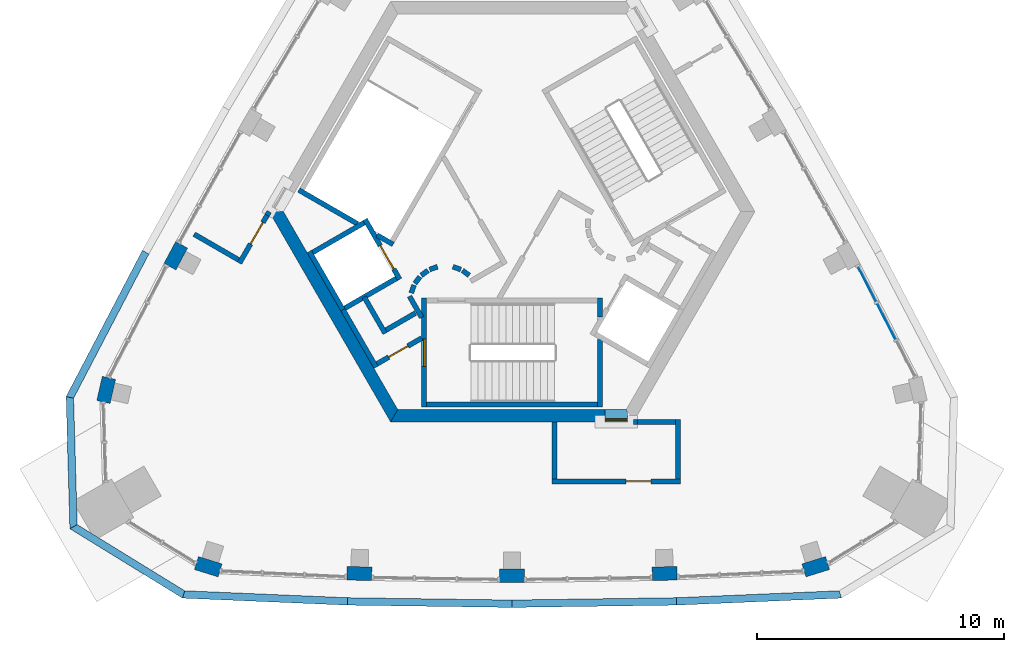
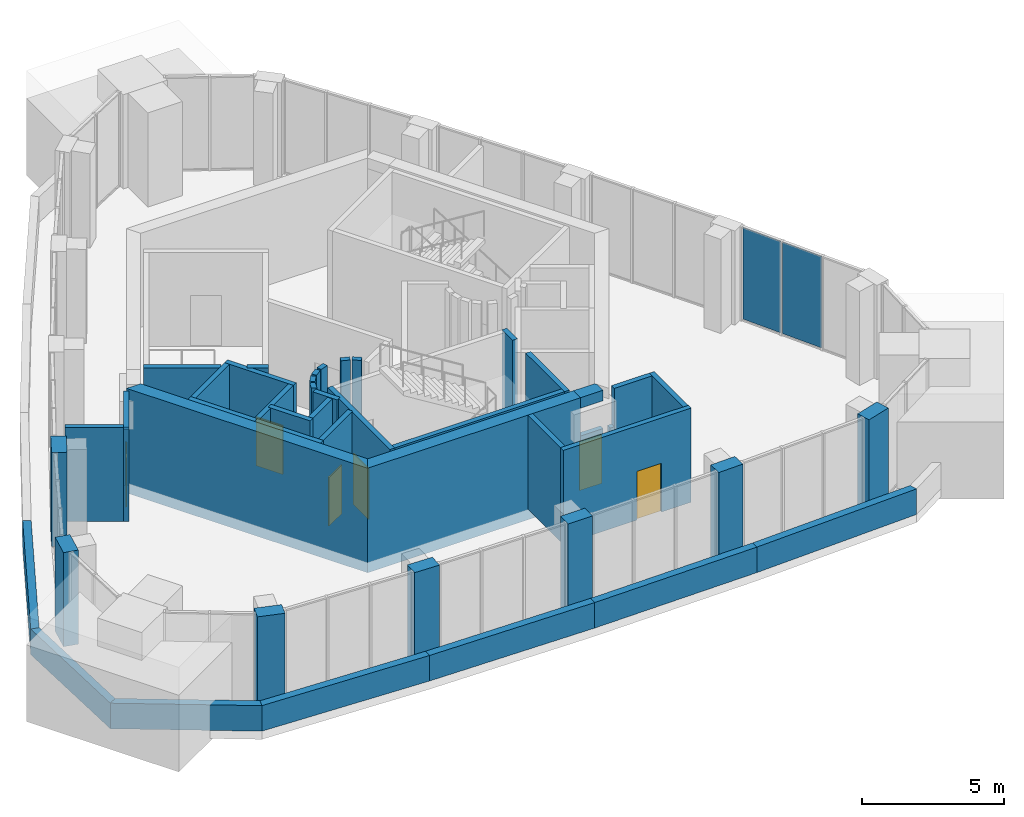
# One storey, part 6 of 9: 47 walls, 6 doors, 2 plates, 6 openings, 1 element without a shape of its own.
"""IFC4 building model written with IfcOpenShell, lengths in metres."""

from ifc_helpers import new_model, si_unit, direction, frame, frame_2d, origin, origin_2d, place, context, subcontext, project, spatial, polyline, rectangle, outline, extrude, material, layer, layer_set, type_object, element, fill, aggregate, save


model = new_model("IFC4")

# Units and contexts
model_context = context("Model", 3, precision=1e-05, world=origin(), true_north=direction((0.0, 1.0)))
body_context = subcontext(model_context, "Body", "Model", "MODEL_VIEW")
ifc_project = project(units=[si_unit("LENGTHUNIT", "METRE"), si_unit("AREAUNIT", "SQUARE_METRE"), si_unit("VOLUMEUNIT", "CUBIC_METRE"), si_unit("PLANEANGLEUNIT", "RADIAN"), si_unit("MASSUNIT", "GRAM", prefix="KILO")], contexts=[model_context])

# Site, building, storey
site_placement = place(None, origin())
site = spatial("IfcSite", under=ifc_project, at=site_placement, CompositionType="ELEMENT")
building_placement = place(site_placement, origin())
building = spatial("IfcBuilding", under=site, at=building_placement, Name="Entoto Arch Interchange Tower", CompositionType="ELEMENT")
storey_placement = place(building_placement, frame((0.0, 0.0, 358.39990234375)))
storey = spatial("IfcBuildingStorey", under=building, at=storey_placement, Name="L84", CompositionType="ELEMENT", Elevation=358.39990234375)

# Curtain wall, plates
ifc_material_1 = material(Name="Aluminium, anodised", Category="aluminium")
curtain_wall_type = type_object("IfcCurtainWallType", Name="CURTAIN WALL CROWN LANTERN", PredefinedType="NOTDEFINED", material=ifc_material_1)
curtain_wall_placement = place(storey_placement, origin())
curtain_wall = element("IfcCurtainWall", 1, at=curtain_wall_placement, inside=storey, type_object=curtain_wall_type, Name="Crown Lantern glazing NE-01 L84", PredefinedType="NOTDEFINED")
ifc_material_2 = material(Name="Clear glass, low-e double glazed", Category="glass")
ifc_layer_1 = layer(ifc_material_2, 0.028076171875)
ifc_layer_set_1 = layer_set([ifc_layer_1], Name="Clear glass, low-e double glazed")
plate_type = type_object("IfcPlateType", Name="GLAZING PANEL CROWN LANTERN 28", PredefinedType="CURTAIN_PANEL", material=ifc_layer_set_1)
plate_1_placement = place(storey_placement, frame((15.131591796875, -1.9365234375, 0.06005859375), z_axis=(0.0, 0.0, 1.0), x_axis=(-0.458935522463, 0.888469575293, 0.0)))
plate_1 = element("IfcPlate", 2, at=plate_1_placement, type_object=plate_type, Name="CWL panel 2.1", PredefinedType="CURTAIN_PANEL", context=body_context, shape_type="SweptSolid", body=[
    extrude(rectangle(XDim=1.6318359375, YDim=0.028076171875, at=origin_2d()), origin(), (0.0, 0.0, 1.0), 3.929931640625),
])
plate_2_placement = place(storey_placement, frame((14.35498046875, -0.433349609375, 0.06005859375), z_axis=(0.0, 0.0, 1.0), x_axis=(-0.458935522463, 0.888469575293, 0.0)))
plate_2 = element("IfcPlate", 3, at=plate_2_placement, type_object=plate_type, Name="CWL panel 3.1", PredefinedType="CURTAIN_PANEL", context=body_context, shape_type="SweptSolid", body=[
    extrude(rectangle(XDim=1.592041015625, YDim=0.028076171875, at=origin_2d()), origin(), (0.0, 0.0, 1.0), 3.929931640625),
])
aggregate(curtain_wall, [plate_1, plate_2])

# Wall, opening, door
ifc_material_3 = material(Name="Reinforced concrete C40/50", Category="concrete")
ifc_layer_2 = layer(ifc_material_3, 0.199951171875)
ifc_layer_set_2 = layer_set([ifc_layer_2], Name="Reinforced concrete C40/50")
wall_type_1 = type_object("IfcWallType", Name="CORE GAP INFILL WALL", PredefinedType="PARTITIONING", material=ifc_layer_set_2)
wall_1_placement = place(storey_placement, frame((3.75, -5.89990234375, 0.0), z_axis=(0.0, 0.0, 1.0), x_axis=(1.0, 0.0, 0.0)))
wall_1 = element("IfcWall", 4, at=wall_1_placement, inside=storey, type_object=wall_type_1, Name="wall:L84:gap1", PredefinedType="PARTITIONING", context=body_context, shape_type="SweptSolid", body=[
    extrude(rectangle(XDim=0.926025390625, YDim=0.199951171875, at=frame_2d((0.462890625, 0.0))), origin(), (0.0, 0.0, 1.0), 2.400146484375),
])
opening_1_placement = place(wall_1_placement, frame((0.01708984375, 0.0, 0.0)))
opening_1 = element("IfcOpeningElement", 5, at=opening_1_placement, cuts=wall_1, Name="Opening L84-D91", PredefinedType="OPENING", context=body_context, shape_type="SweptSolid", body=[
    extrude(rectangle(XDim=0.89990234375, YDim=2.10009765625, at=frame_2d((0.449951171875, 1.050048828125))), frame((0.0, 0.10986328125, 0.0), z_axis=(0.0, -1.0, 0.0), x_axis=(1.0, 0.0, 0.0)), (0.0, 0.0, 1.0), 0.219970703125),
])
ifc_material_4 = material(Name="Fire-rated Steel S235 door and frame", Category="steel")
door_type_1 = type_object("IfcDoorType", Name="DOOR FD-09 900x2100", OperationType="SINGLE_SWING_LEFT", PredefinedType="DOOR", material=ifc_material_4)
door_1_placement = place(opening_1_placement, origin())
door_1 = element("IfcDoor", 6, at=door_1_placement, inside=storey, type_object=door_type_1, Name="door:L84:gap1", OperationType="SINGLE_SWING_LEFT", OverallHeight=2.10009765625, OverallWidth=0.89990234375, PredefinedType="DOOR", context=body_context, shape_type="SweptSolid", body=[
    extrude(rectangle(XDim=0.89990234375, YDim=2.10009765625, at=frame_2d((0.449951171875, 1.050048828125))), frame((0.0, 0.02490234375, 0.0), z_axis=(0.0, -1.0, 0.0), x_axis=(1.0, 0.0, 0.0)), (0.0, 0.0, 1.0), 0.050048828125),
])
fill(opening_1, door_1)

# Walls
ifc_material_5 = material(Name="Concrete C40/50", Category="concrete")
ifc_layer_3 = layer(ifc_material_5, 0.5)
ifc_layer_set_3 = layer_set([ifc_layer_3], Name="Concrete C40/50")
wall_type_2 = type_object("IfcWallType", Name="Core wall 500 C40/50", PredefinedType="SHEAR", material=ifc_layer_set_3)
wall_2_placement = place(storey_placement, frame((0.0, 0.0, -0.449951171875)))
element("IfcWall", 7, at=wall_2_placement, inside=storey, type_object=wall_type_2, Name="Core wall SW L84", PredefinedType="SHEAR", context=body_context, shape_type="SweptSolid", body=[
    extrude(outline(polyline([(-9.81494140625, 2.5), (-4.906982421875, -6.0), (-4.618896484375, -5.5), (-9.238037109375, 2.5), (-9.81494140625, 2.5)])), origin(), (0.0, 0.0, 1.0), 4.5),
])
wall_3_placement = place(storey_placement, frame((0.0, 0.0, -0.449951171875)))
element("IfcWall", 8, at=wall_3_placement, inside=storey, type_object=wall_type_2, Name="Core wall S L84", PredefinedType="SHEAR", context=body_context, shape_type="SweptSolid", body=[
    extrude(outline(polyline([(3.75, -6.0), (3.75, -5.5), (-4.618896484375, -5.5), (-4.906982421875, -6.0), (3.75, -6.0)])), origin(), (0.0, 0.0, 1.0), 4.5),
])
wall_4_placement = place(storey_placement, frame((0.0, 0.0, 3.60009765625)))
element("IfcWall", 9, at=wall_4_placement, inside=storey, type_object=wall_type_2, Name="Core wall lintel S L84", PredefinedType="SHEAR", context=body_context, shape_type="SweptSolid", body=[
    extrude(outline(polyline([(4.676025390625, -6.0), (4.676025390625, -5.60009765625), (4.618896484375, -5.5), (3.75, -5.5), (3.75, -6.0), (4.676025390625, -6.0)])), origin(), (0.0, 0.0, 1.0), 0.449951171875),
])

# Wall, opening, door
ifc_layer_4 = layer(ifc_material_5, 0.199951171875)
ifc_layer_set_4 = layer_set([ifc_layer_4], Name="Concrete C40/50")
wall_type_3 = type_object("IfcWallType", Name="LIFT SHAFT WALL 200", PredefinedType="STANDARD", material=ifc_layer_set_4)
wall_5_placement = place(storey_placement, frame((-5.93994140625, 2.18798828125, 0.0), z_axis=(0.0, 0.0, 1.0), x_axis=(0.49994636267, -0.866056369097, 0.0)))
wall_5 = element("IfcWall", 10, at=wall_5_placement, inside=storey, type_object=wall_type_3, Name="Shaft wall SW1 front", PredefinedType="STANDARD", context=body_context, shape_type="SweptSolid", body=[
    extrude(rectangle(XDim=2.800048828125, YDim=0.199951171875, at=frame_2d((1.39990234375, 0.0))), origin(), (0.0, 0.0, 1.0), 4.050048828125),
])
opening_2_placement = place(wall_5_placement, frame((1.22509765625, 0.0, 0.0)))
opening_2 = element("IfcOpeningElement", 11, at=opening_2_placement, cuts=wall_5, Name="Opening LD-FF2-L84", PredefinedType="OPENING", context=body_context, shape_type="SweptSolid", body=[
    extrude(rectangle(XDim=1.10009765625, YDim=2.10009765625, at=frame_2d((0.550048828125, 1.050048828125))), frame((0.0, 0.10986328125, 0.0), z_axis=(0.0, -1.0, 0.0), x_axis=(1.0, 0.0, 0.0)), (0.0, 0.0, 1.0), 0.219970703125),
])
ifc_material_6 = material(Name="Stainless steel 1.4301 panels", Category="steel")
door_type_2 = type_object("IfcDoorType", Name="LIFT LANDING DOOR LD1 1100x2100", OperationType="SLIDING_TO_LEFT", PredefinedType="DOOR", material=ifc_material_6)
door_2_placement = place(opening_2_placement, origin())
door_2 = element("IfcDoor", 12, at=door_2_placement, inside=storey, type_object=door_type_2, Name="Lift landing door FF2 L84", OperationType="SLIDING_TO_LEFT", OverallHeight=2.10009765625, OverallWidth=1.10009765625, PredefinedType="DOOR", context=body_context, shape_type="SweptSolid", body=[
    extrude(rectangle(XDim=1.10009765625, YDim=2.10009765625, at=frame_2d((0.550048828125, 1.050048828125))), frame((0.0, 0.02490234375, 0.0), z_axis=(0.0, -1.0, 0.0), x_axis=(1.0, 0.0, 0.0)), (0.0, 0.0, 1.0), 0.050048828125),
])
fill(opening_2, door_2)

# Walls
wall_6_placement = place(storey_placement, frame((-8.19189453125, 0.887939453125, 0.0), z_axis=(0.0, 0.0, 1.0), x_axis=(0.49994636267, -0.866056369097, 0.0)))
element("IfcWall", 13, at=wall_6_placement, inside=storey, type_object=wall_type_3, Name="Shaft wall SW1 back", PredefinedType="STANDARD", context=body_context, shape_type="SweptSolid", body=[
    extrude(rectangle(XDim=2.800048828125, YDim=0.199951171875, at=frame_2d((1.39990234375, 0.0))), origin(), (0.0, 0.0, 1.0), 4.050048828125),
])
for number, where, z_axis, x_axis, name in (
    (14, (-5.97705078125, 2.052001953125, 0.0), (0.0, 0.0, 1.0), (-0.865973769406, -0.500089422704, 0.0), "Shaft wall SW1 cross 1"),
    (15, (-4.677001953125, -0.199951171875, 0.0), (0.0, 0.0, 1.0), (-0.865973769406, -0.500089422704, 0.0), "Shaft wall SW1 cross 2"),
):
    element("IfcWall", number, at=place(storey_placement, frame(where, z_axis=z_axis, x_axis=x_axis)), inside=storey, type_object=wall_type_3, Name=name, PredefinedType="STANDARD", context=body_context, shape_type="SweptSolid", body=[
        extrude(rectangle(XDim=2.3994140625, YDim=0.199951171875, at=frame_2d((1.19970703125, 0.0))), origin(), (0.0, 0.0, 1.0), 4.050048828125),
    ])
ifc_material_7 = material(Name="Board-marked precast concrete C50/60", Category="concrete")
ifc_layer_5 = layer(ifc_material_7, 0.300048828125)
ifc_layer_set_5 = layer_set([ifc_layer_5], Name="Board-marked precast concrete C50/60")
wall_type_4 = type_object("IfcWallType", Name="PARAPET PRECAST 300", PredefinedType="PARAPET", material=ifc_layer_set_5)
wall_7_placement = place(storey_placement, origin())
element("IfcWall", 16, at=wall_7_placement, inside=storey, type_object=wall_type_4, Name="Setback roof parapet L84 1", PredefinedType="PARAPET", context=body_context, shape_type="SweptSolid", body=[
    extrude(outline(polyline([(-13.320068359375, -13.1220703125), (-6.659912109375, -13.406005859375), (-6.65087890625, -13.10595703125), (-13.22900390625, -12.825927734375), (-13.320068359375, -13.1220703125)])), origin(), (0.0, 0.0, 1.0), 1.10009765625),
])
wall_8_placement = place(storey_placement, origin())
element("IfcWall", 17, at=wall_8_placement, inside=storey, type_object=wall_type_4, Name="Setback roof parapet L84 2", PredefinedType="PARAPET", context=body_context, shape_type="SweptSolid", body=[
    extrude(outline(polyline([(-6.659912109375, -13.406005859375), (0.0, -13.5), (0.0, -13.199951171875), (-6.65087890625, -13.10595703125), (-6.659912109375, -13.406005859375)])), origin(), (0.0, 0.0, 1.0), 1.10009765625),
])
wall_9_placement = place(storey_placement, origin())
element("IfcWall", 18, at=wall_9_placement, inside=storey, type_object=wall_type_4, Name="Setback roof parapet L84 3", PredefinedType="PARAPET", context=body_context, shape_type="SweptSolid", body=[
    extrude(outline(polyline([(0.0, -13.5), (6.659912109375, -13.406005859375), (6.65087890625, -13.10595703125), (0.0, -13.199951171875), (0.0, -13.5)])), origin(), (0.0, 0.0, 1.0), 1.10009765625),
])
wall_10_placement = place(storey_placement, origin())
element("IfcWall", 19, at=wall_10_placement, inside=storey, type_object=wall_type_4, Name="Setback roof parapet L84 4", PredefinedType="PARAPET", context=body_context, shape_type="SweptSolid", body=[
    extrude(outline(polyline([(6.659912109375, -13.406005859375), (13.320068359375, -13.1220703125), (13.22900390625, -12.825927734375), (6.65087890625, -13.10595703125), (6.659912109375, -13.406005859375)])), origin(), (0.0, 0.0, 1.0), 1.10009765625),
])
wall_11_placement = place(storey_placement, origin())
element("IfcWall", 20, at=wall_11_placement, inside=storey, type_object=wall_type_4, Name="Setback roof parapet L84 16", PredefinedType="PARAPET", context=body_context, shape_type="SweptSolid", body=[
    extrude(outline(polyline([(-14.94091796875, 0.93310546875), (-18.02392578125, -4.97412109375), (-17.721923828125, -5.0439453125), (-14.677001953125, 0.7900390625), (-14.94091796875, 0.93310546875)])), origin(), (0.0, 0.0, 1.0), 1.10009765625),
])
wall_12_placement = place(storey_placement, origin())
element("IfcWall", 21, at=wall_12_placement, inside=storey, type_object=wall_type_4, Name="Setback roof parapet L84 17", PredefinedType="PARAPET", context=body_context, shape_type="SweptSolid", body=[
    extrude(outline(polyline([(-18.02392578125, -4.97412109375), (-17.8720703125, -10.319091796875), (-17.576904296875, -10.14892578125), (-17.721923828125, -5.0439453125), (-18.02392578125, -4.97412109375)])), origin(), (0.0, 0.0, 1.0), 1.10009765625),
])
wall_13_placement = place(storey_placement, origin())
element("IfcWall", 22, at=wall_13_placement, inside=storey, type_object=wall_type_4, Name="Setback roof parapet L84 18", PredefinedType="PARAPET", context=body_context, shape_type="SweptSolid", body=[
    extrude(outline(polyline([(-17.8720703125, -10.319091796875), (-13.320068359375, -13.1220703125), (-13.22900390625, -12.825927734375), (-17.576904296875, -10.14892578125), (-17.8720703125, -10.319091796875)])), origin(), (0.0, 0.0, 1.0), 1.10009765625),
])
ifc_material_8 = material(Name="Gypsum board partition on steel studs", Category="steel")
ifc_layer_6 = layer(ifc_material_8, 0.199951171875)
ifc_layer_set_6 = layer_set([ifc_layer_6], Name="Gypsum board partition on steel studs")
wall_type_5 = type_object("IfcWallType", Name="PARTITION 200", PredefinedType="PARTITIONING", material=ifc_layer_set_6)
wall_14_placement = place(storey_placement, frame((-3.89990234375, -1.59912109375, 0.0), z_axis=(0.0, 0.0, 1.0), x_axis=(-0.865969445389, -0.500096910261, 0.0)))
element("IfcWall", 23, at=wall_14_placement, inside=storey, type_object=wall_type_5, Name="wall:L84:p007", PredefinedType="PARTITIONING", context=body_context, shape_type="SweptSolid", body=[
    extrude(rectangle(XDim=1.373291015625, YDim=0.199951171875, at=frame_2d((0.6865234375, 0.0))), origin(), (0.0, 0.0, 1.0), 4.050048828125),
])
wall_15_placement = place(storey_placement, frame((-5.1259765625, -2.422119140625, 0.0), z_axis=(0.0, 0.0, 1.0), x_axis=(-0.500062241894, 0.865989465428, 0.0)))
element("IfcWall", 24, at=wall_15_placement, inside=storey, type_object=wall_type_5, Name="wall:L84:p008", PredefinedType="PARTITIONING", context=body_context, shape_type="SweptSolid", body=[
    extrude(rectangle(XDim=1.699951171875, YDim=0.199951171875, at=frame_2d((0.85009765625, 0.0))), origin(), (0.0, 0.0, 1.0), 4.050048828125),
])
wall_16_placement = place(storey_placement, frame((-5.491943359375, -3.7880859375, 0.0), z_axis=(0.0, 0.0, 1.0), x_axis=(-0.500008949224, 0.866020236886, 0.0)))
element("IfcWall", 25, at=wall_16_placement, inside=storey, type_object=wall_type_5, Name="wall:L84:p009", PredefinedType="PARTITIONING", context=body_context, shape_type="SweptSolid", body=[
    extrude(rectangle(XDim=2.68017578125, YDim=0.199951171875, at=frame_2d((1.340087890625, 0.0))), origin(), (0.0, 0.0, 1.0), 4.050048828125),
])
wall_17_placement = place(storey_placement, frame((-4.14501953125, -0.919921875, 0.0), z_axis=(0.0, 0.0, 1.0), x_axis=(0.499743786207, -0.866173278362, 0.0)))
element("IfcWall", 26, at=wall_17_placement, inside=storey, type_object=wall_type_5, Name="wall:L84:p010", PredefinedType="PARTITIONING", context=body_context, shape_type="SweptSolid", body=[
    extrude(rectangle(XDim=0.99072265625, YDim=0.199951171875, at=frame_2d((0.495361328125, 0.0))), origin(), (0.0, 0.0, 1.0), 4.050048828125),
])

# Wall, opening, door
wall_18_placement = place(storey_placement, frame((-3.64990234375, -2.610107421875, 0.0), z_axis=(0.0, 0.0, 1.0), x_axis=(-0.866072462134, -0.499918483688, 0.0)))
wall_18 = element("IfcWall", 27, at=wall_18_placement, inside=storey, type_object=wall_type_5, Name="wall:L84:p011", PredefinedType="PARTITIONING", context=body_context, shape_type="SweptSolid", body=[
    extrude(rectangle(XDim=2.084228515625, YDim=0.199951171875, at=frame_2d((1.0419921875, 0.0))), origin(), (0.0, 0.0, 1.0), 4.050048828125),
])
opening_3_placement = place(wall_18_placement, frame((0.64208984375, 0.0, 0.0)))
opening_3 = element("IfcOpeningElement", 28, at=opening_3_placement, cuts=wall_18, Name="Opening L84-D07", PredefinedType="OPENING", context=body_context, shape_type="SweptSolid", body=[
    extrude(rectangle(XDim=0.89990234375, YDim=2.10009765625, at=frame_2d((0.449951171875, 1.050048828125))), frame((0.0, 0.10986328125, 0.0), z_axis=(0.0, -1.0, 0.0), x_axis=(1.0, 0.0, 0.0)), (0.0, 0.0, 1.0), 0.219970703125),
])
ifc_material_9 = material(Name="Timber door leaf in Steel S235 frame", Category="steel")
door_type_3 = type_object("IfcDoorType", Name="DOOR DS-09 900x2100", OperationType="SINGLE_SWING_LEFT", PredefinedType="DOOR", material=ifc_material_9)
door_3_placement = place(opening_3_placement, origin())
door_3 = element("IfcDoor", 29, at=door_3_placement, inside=storey, type_object=door_type_3, Name="door:L84:07", OperationType="SINGLE_SWING_LEFT", OverallHeight=2.10009765625, OverallWidth=0.89990234375, PredefinedType="DOOR", context=body_context, shape_type="SweptSolid", body=[
    extrude(rectangle(XDim=0.89990234375, YDim=2.10009765625, at=frame_2d((0.449951171875, 1.050048828125))), frame((0.0, 0.02490234375, 0.0), z_axis=(0.0, -1.0, 0.0), x_axis=(1.0, 0.0, 0.0)), (0.0, 0.0, 1.0), 0.050048828125),
])
fill(opening_3, door_3)

# Walls
wall_19_placement = place(storey_placement, frame((-1.73095703125, -0.076904296875, 0.0), z_axis=(0.0, 0.0, 1.0), x_axis=(-0.804311165252, 0.594208338422, 0.0)))
element("IfcWall", 30, at=wall_19_placement, inside=storey, type_object=wall_type_5, Name="wall:L84:p021", PredefinedType="PARTITIONING", context=body_context, shape_type="SweptSolid", body=[
    extrude(rectangle(XDim=0.338134765625, YDim=0.199951171875, at=frame_2d((0.1689453125, 0.0))), origin(), (0.0, 0.0, 1.0), 4.050048828125),
])
wall_20_placement = place(storey_placement, frame((-2.070068359375, 0.159912109375, 0.0), z_axis=(0.0, 0.0, 1.0), x_axis=(-0.942199461132, 0.335052496547, 0.0)))
element("IfcWall", 31, at=wall_20_placement, inside=storey, type_object=wall_type_5, Name="wall:L84:p022", PredefinedType="PARTITIONING", context=body_context, shape_type="SweptSolid", body=[
    extrude(rectangle(XDim=0.33740234375, YDim=0.199951171875, at=frame_2d((0.168701171875, 0.0))), origin(), (0.0, 0.0, 1.0), 4.050048828125),
])
wall_21_placement = place(storey_placement, frame((-3.011962890625, 0.27294921875, 0.0), z_axis=(0.0, 0.0, 1.0), x_axis=(-0.942280615813, -0.334824194261, 0.0)))
element("IfcWall", 32, at=wall_21_placement, inside=storey, type_object=wall_type_5, Name="wall:L84:p023", PredefinedType="PARTITIONING", context=body_context, shape_type="SweptSolid", body=[
    extrude(rectangle(XDim=0.337646484375, YDim=0.199951171875, at=frame_2d((0.1689453125, 0.0))), origin(), (0.0, 0.0, 1.0), 4.050048828125),
])
wall_22_placement = place(storey_placement, frame((-3.39697265625, 0.1240234375, 0.0), z_axis=(0.0, 0.0, 1.0), x_axis=(-0.804311165252, -0.594208338422, 0.0)))
element("IfcWall", 33, at=wall_22_placement, inside=storey, type_object=wall_type_5, Name="wall:L84:p024", PredefinedType="PARTITIONING", context=body_context, shape_type="SweptSolid", body=[
    extrude(rectangle(XDim=0.338134765625, YDim=0.199951171875, at=frame_2d((0.1689453125, 0.0))), origin(), (0.0, 0.0, 1.0), 4.050048828125),
])
wall_23_placement = place(storey_placement, frame((-3.722900390625, -0.131103515625, 0.0), z_axis=(0.0, 0.0, 1.0), x_axis=(-0.594675113454, -0.803966112121, 0.0)))
element("IfcWall", 34, at=wall_23_placement, inside=storey, type_object=wall_type_5, Name="wall:L84:p025", PredefinedType="PARTITIONING", context=body_context, shape_type="SweptSolid", body=[
    extrude(rectangle(XDim=0.33837890625, YDim=0.199951171875, at=frame_2d((0.169189453125, 0.0))), origin(), (0.0, 0.0, 1.0), 4.050048828125),
])
wall_24_placement = place(storey_placement, frame((-3.9599609375, -0.469970703125, 0.0), z_axis=(0.0, 0.0, 1.0), x_axis=(-0.334824194261, -0.942280615813, 0.0)))
element("IfcWall", 35, at=wall_24_placement, inside=storey, type_object=wall_type_5, Name="wall:L84:p026", PredefinedType="PARTITIONING", context=body_context, shape_type="SweptSolid", body=[
    extrude(rectangle(XDim=0.337646484375, YDim=0.199951171875, at=frame_2d((0.1689453125, 0.0))), origin(), (0.0, 0.0, 1.0), 4.050048828125),
])

# Wall, opening, door
wall_25_placement = place(storey_placement, frame((6.81298828125, -8.39990234375, 0.0), z_axis=(0.0, 0.0, 1.0), x_axis=(-1.0, 0.0, 0.0)))
wall_25 = element("IfcWall", 36, at=wall_25_placement, inside=storey, type_object=wall_type_5, Name="wall:L84:p028", PredefinedType="PARTITIONING", context=body_context, shape_type="SweptSolid", body=[
    extrude(rectangle(XDim=5.199951171875, YDim=0.199951171875, at=frame_2d((2.60009765625, 0.0))), origin(), (0.0, 0.0, 1.0), 4.050048828125),
])
opening_4_placement = place(wall_25_placement, frame((1.199951171875, 0.0, 0.0)))
opening_4 = element("IfcOpeningElement", 37, at=opening_4_placement, cuts=wall_25, Name="Opening L84-D01", PredefinedType="OPENING", context=body_context, shape_type="SweptSolid", body=[
    extrude(rectangle(XDim=1.0, YDim=2.10009765625, at=frame_2d((0.5, 1.050048828125))), frame((0.0, 0.10986328125, 0.0), z_axis=(0.0, -1.0, 0.0), x_axis=(1.0, 0.0, 0.0)), (0.0, 0.0, 1.0), 0.219970703125),
])
door_type_4 = type_object("IfcDoorType", Name="DOOR FD-10 1000x2100", OperationType="SINGLE_SWING_LEFT", PredefinedType="DOOR", material=ifc_material_4)
door_4_placement = place(opening_4_placement, origin())
door_4 = element("IfcDoor", 38, at=door_4_placement, inside=storey, type_object=door_type_4, Name="door:L84:01", OperationType="SINGLE_SWING_LEFT", OverallHeight=2.10009765625, OverallWidth=1.0, PredefinedType="DOOR", context=body_context, shape_type="SweptSolid", body=[
    extrude(rectangle(XDim=1.0, YDim=2.10009765625, at=frame_2d((0.5, 1.050048828125))), frame((0.0, 0.02490234375, 0.0), z_axis=(0.0, -1.0, 0.0), x_axis=(1.0, 0.0, 0.0)), (0.0, 0.0, 1.0), 0.050048828125),
])
fill(opening_4, door_4)

# Walls
wall_26_placement = place(storey_placement, frame((1.712890625, -8.300048828125, 0.0), z_axis=(0.0, 0.0, 1.0), x_axis=(0.0, 1.0, 0.0)))
element("IfcWall", 39, at=wall_26_placement, inside=storey, type_object=wall_type_5, Name="wall:L84:p029", PredefinedType="PARTITIONING", context=body_context, shape_type="SweptSolid", body=[
    extrude(rectangle(XDim=2.300048828125, YDim=0.199951171875, at=frame_2d((1.14990234375, 0.0))), origin(), (0.0, 0.0, 1.0), 4.050048828125),
])
wall_27_placement = place(storey_placement, frame((4.906982421875, -6.0, 0.0), z_axis=(0.0, 0.0, 1.0), x_axis=(1.0, 0.0, 0.0)))
element("IfcWall", 40, at=wall_27_placement, inside=storey, type_object=wall_type_5, Name="wall:L84:p030", PredefinedType="PARTITIONING", context=body_context, shape_type="SweptSolid", body=[
    extrude(rectangle(XDim=0.1689453125, YDim=0.199951171875, at=frame_2d((0.08447265625, 0.0))), origin(), (0.0, 0.0, 1.0), 2.400146484375),
])
wall_28_placement = place(storey_placement, frame((6.712890625, -5.89990234375, 0.0), z_axis=(0.0, 0.0, 1.0), x_axis=(0.0, -1.0, 0.0)))
element("IfcWall", 41, at=wall_28_placement, inside=storey, type_object=wall_type_5, Name="wall:L84:p031", PredefinedType="PARTITIONING", context=body_context, shape_type="SweptSolid", body=[
    extrude(rectangle(XDim=2.400146484375, YDim=0.199951171875, at=frame_2d((1.2001953125, 0.0))), origin(), (0.0, 0.0, 1.0), 4.050048828125),
])
wall_29_placement = place(storey_placement, frame((-11.054931640625, 0.552978515625, 0.0), z_axis=(0.0, 0.0, 1.0), x_axis=(-0.865971676864, 0.500093046212, 0.0)))
element("IfcWall", 42, at=wall_29_placement, inside=storey, type_object=wall_type_5, Name="wall:L84:p033", PredefinedType="PARTITIONING", context=body_context, shape_type="SweptSolid", body=[
    extrude(rectangle(XDim=2.07177734375, YDim=0.199951171875, at=frame_2d((1.035888671875, 0.0))), origin(), (0.0, 0.0, 1.0), 4.050048828125),
])
wall_30_placement = place(storey_placement, frame((-9.81494140625, 2.5, 0.0), z_axis=(0.0, 0.0, 1.0), x_axis=(-0.5004692653, -0.865754303766, 0.0)))
element("IfcWall", 43, at=wall_30_placement, inside=storey, type_object=wall_type_5, Name="wall:L84:p034", PredefinedType="PARTITIONING", context=body_context, shape_type="SweptSolid", body=[
    extrude(rectangle(XDim=0.169677734375, YDim=0.199951171875, at=frame_2d((0.0849609375, 0.0))), origin(), (0.0, 0.0, 1.0), 2.400146484375),
])
wall_31_placement = place(storey_placement, frame((5.075927734375, -6.0, 0.0), z_axis=(0.0, 0.0, 1.0), x_axis=(1.0, 0.0, 0.0)))
element("IfcWall", 44, at=wall_31_placement, inside=storey, type_object=wall_type_5, Name="wall:L84:p030", PredefinedType="PARTITIONING", context=body_context, shape_type="SweptSolid", body=[
    extrude(rectangle(XDim=1.537109375, YDim=0.199951171875, at=frame_2d((0.7685546875, 0.0))), origin(), (0.0, 0.0, 1.0), 4.050048828125),
])

# Wall, opening, door
wall_32_placement = place(storey_placement, frame((-9.89990234375, 2.35302734375, 0.0), z_axis=(0.0, 0.0, 1.0), x_axis=(-0.499942933724, -0.866058348508, 0.0)))
wall_32 = element("IfcWall", 45, at=wall_32_placement, inside=storey, type_object=wall_type_5, Name="wall:L84:p034", PredefinedType="PARTITIONING", context=body_context, shape_type="SweptSolid", body=[
    extrude(rectangle(XDim=2.236572265625, YDim=0.199951171875, at=frame_2d((1.1181640625, 0.0))), origin(), (0.0, 0.0, 1.0), 4.050048828125),
])
opening_5_placement = place(wall_32_placement, frame((0.3359375, 0.0, 0.0)))
opening_5 = element("IfcOpeningElement", 46, at=opening_5_placement, cuts=wall_32, Name="Opening L84-D03", PredefinedType="OPENING", context=body_context, shape_type="SweptSolid", body=[
    extrude(rectangle(XDim=1.0, YDim=2.10009765625, at=frame_2d((0.5, 1.050048828125))), frame((0.0, 0.10986328125, 0.0), z_axis=(0.0, -1.0, 0.0), x_axis=(1.0, 0.0, 0.0)), (0.0, 0.0, 1.0), 0.219970703125),
])
door_5_placement = place(opening_5_placement, origin())
door_5 = element("IfcDoor", 47, at=door_5_placement, inside=storey, type_object=door_type_4, Name="door:L84:03", OperationType="SINGLE_SWING_LEFT", OverallHeight=2.10009765625, OverallWidth=1.0, PredefinedType="DOOR", context=body_context, shape_type="SweptSolid", body=[
    extrude(rectangle(XDim=1.0, YDim=2.10009765625, at=frame_2d((0.5, 1.050048828125))), frame((0.0, 0.02490234375, 0.0), z_axis=(0.0, -1.0, 0.0), x_axis=(1.0, 0.0, 0.0)), (0.0, 0.0, 1.0), 0.050048828125),
])
fill(opening_5, door_5)

ifc_layer_7 = layer(ifc_material_5, 0.199951171875)
ifc_layer_set_7 = layer_set([ifc_layer_7], Name="Concrete C40/50")
wall_type_6 = type_object("IfcWallType", Name="STAIR ENCLOSURE WALL 200", PredefinedType="STANDARD", material=ifc_layer_set_7)
wall_33_placement = place(storey_placement, frame((-3.550048828125, -1.0, 0.0), z_axis=(0.0, 0.0, 1.0), x_axis=(0.0, -1.0, 0.0)))
wall_33 = element("IfcWall", 48, at=wall_33_placement, inside=storey, type_object=wall_type_6, Name="Stair wall ST-S near", PredefinedType="STANDARD", context=body_context, shape_type="SweptSolid", body=[
    extrude(rectangle(XDim=4.39990234375, YDim=0.199951171875, at=frame_2d((2.199951171875, 0.0))), origin(), (0.0, 0.0, 1.0), 4.050048828125),
])
opening_6_placement = place(wall_33_placement, frame((1.64990234375, 0.0, 0.0)))
opening_6 = element("IfcOpeningElement", 49, at=opening_6_placement, cuts=wall_33, Name="Opening SD-ST-S-L84-E", PredefinedType="OPENING", context=body_context, shape_type="SweptSolid", body=[
    extrude(rectangle(XDim=1.10009765625, YDim=2.199951171875, at=frame_2d((0.550048828125, 1.10009765625))), frame((0.0, 0.10986328125, 0.0), z_axis=(0.0, -1.0, 0.0), x_axis=(1.0, 0.0, 0.0)), (0.0, 0.0, 1.0), 0.219970703125),
])
ifc_material_10 = material(Name="Steel S235", Category="steel")
door_type_5 = type_object("IfcDoorType", Name="STAIR DOOR SD1 1100x2200", OperationType="SINGLE_SWING_LEFT", PredefinedType="DOOR", material=ifc_material_10)
door_6_placement = place(opening_6_placement, origin())
door_6 = element("IfcDoor", 50, at=door_6_placement, inside=storey, type_object=door_type_5, Name="Stair door ST-S L84 end", OperationType="SINGLE_SWING_LEFT", OverallHeight=2.199951171875, OverallWidth=1.10009765625, PredefinedType="DOOR", context=body_context, shape_type="SweptSolid", body=[
    extrude(rectangle(XDim=1.10009765625, YDim=2.199951171875, at=frame_2d((0.550048828125, 1.10009765625))), frame((0.0, 0.02490234375, 0.0), z_axis=(0.0, -1.0, 0.0), x_axis=(1.0, 0.0, 0.0)), (0.0, 0.0, 1.0), 0.050048828125),
])
fill(opening_6, door_6)

# Walls
wall_34_placement = place(storey_placement, frame((3.550048828125, -2.6669921875, 0.0), z_axis=(0.0, 0.0, 1.0), x_axis=(0.0, -1.0, 0.0)))
element("IfcWall", 51, at=wall_34_placement, inside=storey, type_object=wall_type_6, Name="Stair wall ST-S far", PredefinedType="STANDARD", context=body_context, shape_type="SweptSolid", body=[
    extrude(rectangle(XDim=2.73291015625, YDim=0.199951171875, at=frame_2d((1.366455078125, 0.0))), origin(), (0.0, 0.0, 1.0), 4.050048828125),
])
wall_35_placement = place(storey_placement, frame((3.550048828125, -1.0, 0.0), z_axis=(0.0, 0.0, 1.0), x_axis=(0.0, -1.0, 0.0)))
element("IfcWall", 52, at=wall_35_placement, inside=storey, type_object=wall_type_6, Name="Stair wall ST-S far return", PredefinedType="STANDARD", context=body_context, shape_type="SweptSolid", body=[
    extrude(rectangle(XDim=0.7509765625, YDim=0.199951171875, at=frame_2d((0.37548828125, 0.0))), origin(), (0.0, 0.0, 1.0), 4.050048828125),
])
wall_36_placement = place(storey_placement, frame((-3.449951171875, -5.300048828125, 0.0), z_axis=(0.0, 0.0, 1.0), x_axis=(1.0, 0.0, 0.0)))
element("IfcWall", 53, at=wall_36_placement, inside=storey, type_object=wall_type_6, Name="Stair wall ST-S back", PredefinedType="STANDARD", context=body_context, shape_type="SweptSolid", body=[
    extrude(rectangle(XDim=6.89990234375, YDim=0.199951171875, at=frame_2d((3.449951171875, 0.0))), origin(), (0.0, 0.0, 1.0), 4.050048828125),
])
wall_37_placement = place(storey_placement, frame((-6.25, 2.010009765625, 0.0), z_axis=(0.0, 0.0, 1.0), x_axis=(-0.86611865017, 0.499838457731, 0.0)))
element("IfcWall", 54, at=wall_37_placement, inside=storey, type_object=wall_type_6, Name="Stair wall ST-NW far", PredefinedType="STANDARD", context=body_context, shape_type="SweptSolid", body=[
    extrude(rectangle(XDim=2.73291015625, YDim=0.199951171875, at=frame_2d((1.366455078125, 0.0))), origin(), (0.0, 0.0, 1.0), 4.050048828125),
])
wall_38_placement = place(storey_placement, frame((-4.805908203125, 1.176025390625, 0.0), z_axis=(0.0, 0.0, 1.0), x_axis=(-0.866558586415, 0.499075361355, 0.0)))
element("IfcWall", 55, at=wall_38_placement, inside=storey, type_object=wall_type_6, Name="Stair wall ST-NW far return", PredefinedType="STANDARD", context=body_context, shape_type="SweptSolid", body=[
    extrude(rectangle(XDim=0.75146484375, YDim=0.199951171875, at=frame_2d((0.375732421875, 0.0))), origin(), (0.0, 0.0, 1.0), 4.050048828125),
])
ifc_material_11 = material(Name="Welded tuff (ignimbrite) cladding, warm buff", Category="masonry")
ifc_layer_8 = layer(ifc_material_11, 0.550048828125)
ifc_layer_set_8 = layer_set([ifc_layer_8], Name="Welded tuff (ignimbrite) cladding, warm buff")
wall_type_7 = type_object("IfcWallType", Name="STONE PIER CLADDING 550", PredefinedType="STANDARD", material=ifc_layer_set_8)
wall_39_placement = place(storey_placement, frame((-13.35498046875, 1.157958984375, 0.0), z_axis=(0.0, 0.0, 1.0), x_axis=(-0.472498926772, -0.881331245446, 0.0)))
element("IfcWall", 56, at=wall_39_placement, inside=storey, type_object=wall_type_7, Name="Stone pier NW04 L84", PredefinedType="STANDARD", context=body_context, shape_type="SweptSolid", body=[
    extrude(rectangle(XDim=1.000732421875, YDim=0.550048828125, at=frame_2d((0.50048828125, 0.0))), origin(), (0.0, 0.0, 1.0), 4.050048828125),
])
for number, where, z_axis, x_axis, name in (
    (57, (-16.2939453125, -4.219970703125, 0.0), (0.0, 0.0, 1.0), (-0.220987805865, -0.975276570855, 0.0), "Stone pier NW05 L84"),
    (58, (-12.756103515625, -11.705078125, 0.0), (0.0, 0.0, 1.0), (0.955207034031, -0.295938375574, 0.0), "Stone pier S01 L84"),
):
    element("IfcWall", number, at=place(storey_placement, frame(where, z_axis=z_axis, x_axis=x_axis)), inside=storey, type_object=wall_type_7, Name=name, PredefinedType="STANDARD", context=body_context, shape_type="SweptSolid", body=[
        extrude(rectangle(XDim=0.999755859375, YDim=0.550048828125, at=frame_2d((0.5, 0.0))), origin(), (0.0, 0.0, 1.0), 4.050048828125),
    ])
wall_40_placement = place(storey_placement, frame((-6.6708984375, -12.114013671875, 0.0), z_axis=(0.0, 0.0, 1.0), x_axis=(0.999518490651, -0.031028806725, 0.0)))
element("IfcWall", 59, at=wall_40_placement, inside=storey, type_object=wall_type_7, Name="Stone pier S02 L84", PredefinedType="STANDARD", context=body_context, shape_type="SweptSolid", body=[
    extrude(rectangle(XDim=0.999267578125, YDim=0.550048828125, at=frame_2d((0.49951171875, 0.0))), origin(), (0.0, 0.0, 1.0), 4.050048828125),
])
wall_41_placement = place(storey_placement, frame((-0.5, -12.22509765625, 0.0), z_axis=(0.0, 0.0, 1.0), x_axis=(1.0, 0.0, 0.0)))
element("IfcWall", 60, at=wall_41_placement, inside=storey, type_object=wall_type_7, Name="Stone pier S03 L84", PredefinedType="STANDARD", context=body_context, shape_type="SweptSolid", body=[
    extrude(rectangle(XDim=1.0, YDim=0.550048828125, at=frame_2d((0.5, 0.0))), origin(), (0.0, 0.0, 1.0), 4.050048828125),
])
wall_42_placement = place(storey_placement, frame((5.672119140625, -12.14501953125, 0.0), z_axis=(0.0, 0.0, 1.0), x_axis=(0.999518490651, 0.031028806725, 0.0)))
element("IfcWall", 61, at=wall_42_placement, inside=storey, type_object=wall_type_7, Name="Stone pier S04 L84", PredefinedType="STANDARD", context=body_context, shape_type="SweptSolid", body=[
    extrude(rectangle(XDim=0.999267578125, YDim=0.550048828125, at=frame_2d((0.49951171875, 0.0))), origin(), (0.0, 0.0, 1.0), 4.050048828125),
])
wall_43_placement = place(storey_placement, frame((11.801025390625, -12.0009765625, 0.0), z_axis=(0.0, 0.0, 1.0), x_axis=(0.955207034031, 0.295938375574, 0.0)))
element("IfcWall", 62, at=wall_43_placement, inside=storey, type_object=wall_type_7, Name="Stone pier S05 L84", PredefinedType="STANDARD", context=body_context, shape_type="SweptSolid", body=[
    extrude(rectangle(XDim=0.999755859375, YDim=0.550048828125, at=frame_2d((0.5, 0.0))), origin(), (0.0, 0.0, 1.0), 4.050048828125),
])

save(model, "model.ifc")
